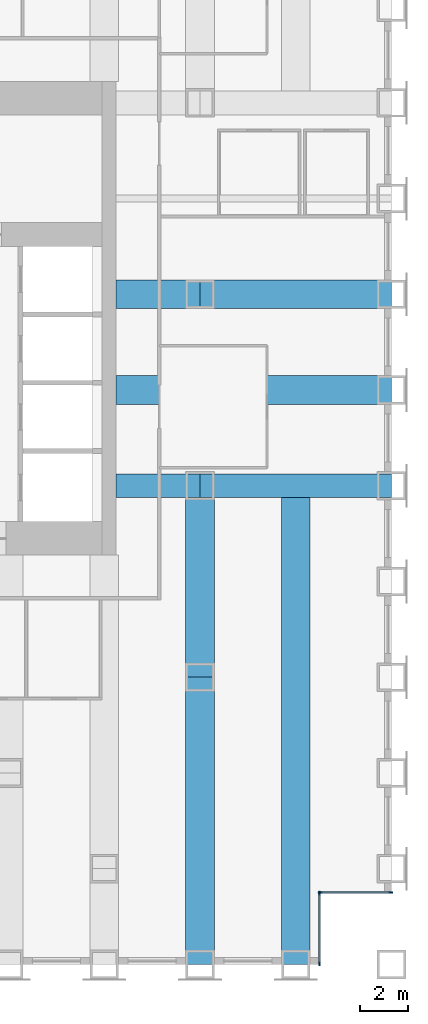
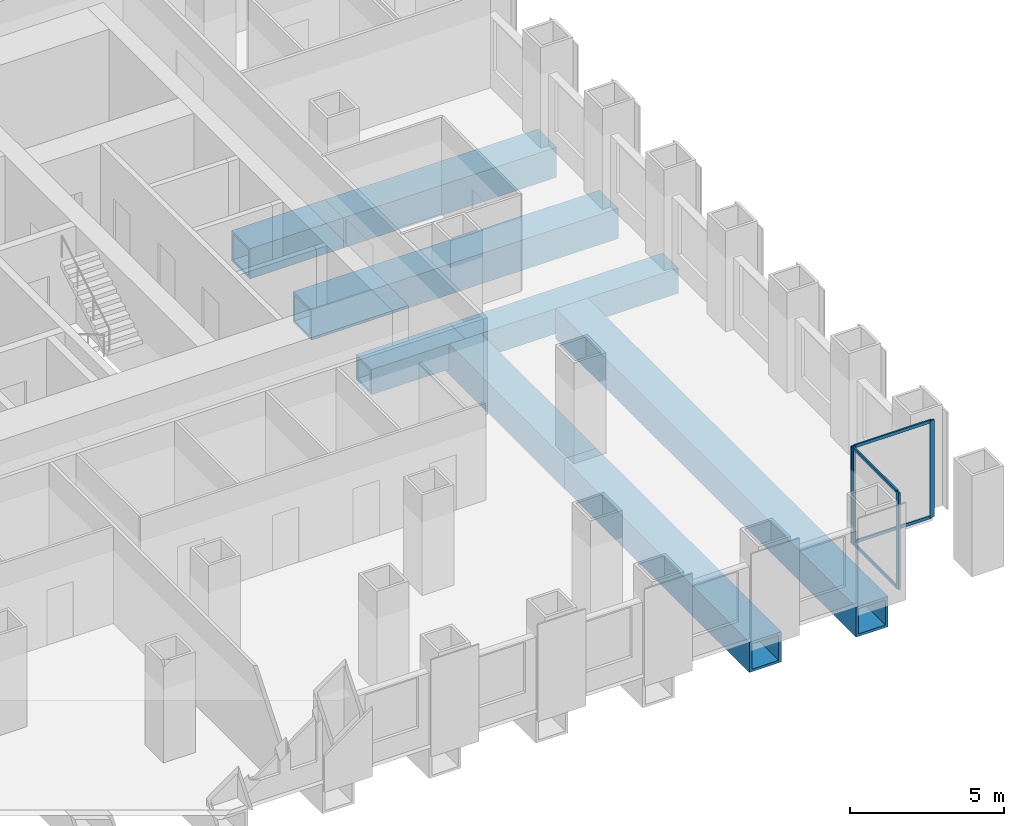
# One storey, part 4 of 14: 8 beams, 8 members, 2 elements without a shape of their own.
"""IFC4 building model written with IfcOpenShell, lengths in metres."""

from ifc_helpers import new_model, si_unit, direction, frame, origin, origin_2d, place, context, subcontext, project, spatial, rectangle, hollow_rectangle, extrude, material, material_profile, profile_set, type_object, element, aggregate, save


model = new_model("IFC4")

# Units and contexts
model_context = context("Model", 3, precision=1e-05, world=origin(), true_north=direction((0.0, 1.0)))
body_context = subcontext(model_context, "Body", "Model", "MODEL_VIEW")
ifc_project = project(units=[si_unit("LENGTHUNIT", "METRE"), si_unit("AREAUNIT", "SQUARE_METRE"), si_unit("VOLUMEUNIT", "CUBIC_METRE"), si_unit("PLANEANGLEUNIT", "RADIAN"), si_unit("MASSUNIT", "GRAM", prefix="KILO")], contexts=[model_context])

# Site, building, storey
site_placement = place(None, origin())
site = spatial("IfcSite", under=ifc_project, at=site_placement, CompositionType="ELEMENT")
building_placement = place(site_placement, origin())
building = spatial("IfcBuilding", under=site, at=building_placement, Name="Rimbunsela Tower", CompositionType="ELEMENT")
storey_placement = place(building_placement, frame((0.0, 0.0, 47.0)))
storey = spatial("IfcBuildingStorey", under=building, at=storey_placement, Name="L11", CompositionType="ELEMENT", Elevation=47.0)

# Beams
ifc_material_1 = material(Name="Steel BJ 55 (fy 410 MPa)", Category="steel")
ifc_material_profile_1 = material_profile(ifc_material_1, hollow_rectangle(XDim=1.0, YDim=1.0, WallThickness=0.10009765625, at=origin_2d()), Name="BOX 1000x1000x100")
ifc_profile_set_1 = profile_set([ifc_material_profile_1], Name="Steel BJ 55 (fy 410 MPa)")
beam_type_1 = type_object("IfcBeamType", Name="Beam BOX 1000x1000x100", PredefinedType="BEAM", material=ifc_profile_set_1)
beam_1_placement = place(storey_placement, frame((42.5, 20.0, -0.64990234375), z_axis=(1.0, 0.0, 0.0), x_axis=(0.0, 1.0, 0.0)))
element("IfcBeam", 1, at=beam_1_placement, inside=storey, type_object=beam_type_1, Name="Beam B3 L11", PredefinedType="BEAM", context=body_context, shape_type="SweptSolid", body=[
    extrude(hollow_rectangle(XDim=1.0, YDim=1.0, WallThickness=0.10009765625, at=origin_2d()), origin(), (0.0, 0.0, 1.0), 3.5),
])
beam_2_placement = place(storey_placement, frame((46.0, 20.0, -0.64990234375), z_axis=(1.0, 0.0, 0.0), x_axis=(0.0, 1.0, 0.0)))
element("IfcBeam", 2, at=beam_2_placement, inside=storey, type_object=beam_type_1, Name="Beam B3 L11", PredefinedType="BEAM", context=body_context, shape_type="SweptSolid", body=[
    extrude(hollow_rectangle(XDim=1.0, YDim=1.0, WallThickness=0.10009765625, at=origin_2d()), origin(), (0.0, 0.0, 1.0), 8.0),
])
ifc_material_2 = material(Name="Steel BJ 55 (fy 410 MPa)", Category="steel")
ifc_material_profile_2 = material_profile(ifc_material_2, hollow_rectangle(XDim=1.199951171875, YDim=1.199951171875, WallThickness=0.10009765625, at=origin_2d()), Name="BOX 1200x1200x100")
ifc_profile_set_2 = profile_set([ifc_material_profile_2], Name="Steel BJ 55 (fy 410 MPa)")
beam_type_2 = type_object("IfcBeamType", Name="Beam BOX 1200x1200x100", PredefinedType="BEAM", material=ifc_profile_set_2)
beam_3_placement = place(storey_placement, frame((42.5, 24.0, -0.75), z_axis=(1.0, 0.0, 0.0), x_axis=(0.0, 1.0, 0.0)))
element("IfcBeam", 3, at=beam_3_placement, inside=storey, type_object=beam_type_2, Name="Beam B5 L11", PredefinedType="BEAM", context=body_context, shape_type="SweptSolid", body=[
    extrude(hollow_rectangle(XDim=1.199951171875, YDim=1.199951171875, WallThickness=0.10009765625, at=origin_2d()), origin(), (0.0, 0.0, 1.0), 11.5),
])
beam_4_placement = place(storey_placement, frame((42.5, 28.0, -0.75), z_axis=(1.0, 0.0, 0.0), x_axis=(0.0, 1.0, 0.0)))
element("IfcBeam", 4, at=beam_4_placement, inside=storey, type_object=beam_type_2, Name="Beam B5 L11", PredefinedType="BEAM", context=body_context, shape_type="SweptSolid", body=[
    extrude(hollow_rectangle(XDim=1.199951171875, YDim=1.199951171875, WallThickness=0.10009765625, at=origin_2d()), origin(), (0.0, 0.0, 1.0), 3.5),
])
beam_5_placement = place(storey_placement, frame((46.0, 0.0, -0.75), z_axis=(0.0, 1.0, 0.0), x_axis=(-1.0, 0.0, 0.0)))
element("IfcBeam", 5, at=beam_5_placement, inside=storey, type_object=beam_type_2, Name="Beam B5 L11", PredefinedType="BEAM", context=body_context, shape_type="SweptSolid", body=[
    extrude(hollow_rectangle(XDim=1.199951171875, YDim=1.199951171875, WallThickness=0.10009765625, at=origin_2d()), origin(), (0.0, 0.0, 1.0), 12.0),
])
for number, where, z_axis, x_axis, name in (
    (6, (46.0, 12.0, -0.75), (0.0, 1.0, 0.0), (-1.0, 0.0, 0.0), "Beam B5 L11"),
    (7, (46.0, 28.0, -0.75), (1.0, 0.0, 0.0), (0.0, 1.0, 0.0), "Beam B5 L11"),
):
    element("IfcBeam", number, at=place(storey_placement, frame(where, z_axis=z_axis, x_axis=x_axis)), inside=storey, type_object=beam_type_2, Name=name, PredefinedType="BEAM", context=body_context, shape_type="SweptSolid", body=[
        extrude(hollow_rectangle(XDim=1.199951171875, YDim=1.199951171875, WallThickness=0.10009765625, at=origin_2d()), origin(), (0.0, 0.0, 1.0), 8.0),
    ])
beam_6_placement = place(storey_placement, frame((50.0, 0.0, -0.75), z_axis=(0.0, 1.0, 0.0), x_axis=(-1.0, 0.0, 0.0)))
element("IfcBeam", 8, at=beam_6_placement, inside=storey, type_object=beam_type_2, Name="Beam B5 L11", PredefinedType="BEAM", context=body_context, shape_type="SweptSolid", body=[
    extrude(hollow_rectangle(XDim=1.199951171875, YDim=1.199951171875, WallThickness=0.10009765625, at=origin_2d()), origin(), (0.0, 0.0, 1.0), 19.5),
])

# Curtain wall, members
ifc_material_3 = material(Name="Aluminium curtain wall", Category="aluminium")
curtain_wall_type = type_object("IfcCurtainWallType", Name="Corner glazing", PredefinedType="USERDEFINED", material=ifc_material_3)
curtain_wall_1_placement = place(storey_placement, origin())
curtain_wall_1 = element("IfcCurtainWall", 9, at=curtain_wall_1_placement, inside=storey, type_object=curtain_wall_type, Name="Corner glazing L11", ObjectType="CORNER GLAZING", PredefinedType="USERDEFINED")
ifc_material_4 = material(Name="Aluminium mullion", Category="aluminium")
ifc_material_profile_3 = material_profile(ifc_material_4, rectangle(XDim=0.06005859375, YDim=0.159912109375, at=origin_2d()), Name="Mullion 60x160")
ifc_profile_set_3 = profile_set([ifc_material_profile_3], Name="Aluminium mullion")
member_type_1 = type_object("IfcMemberType", Name="Curtain wall mullion 60x160", PredefinedType="MULLION", material=ifc_profile_set_3)
member_1_placement = place(storey_placement, frame((51.0, 0.030029296875, 0.0), z_axis=(0.0, 0.0, 1.0), x_axis=(-1.0, 0.0, 0.0)))
member_1 = element("IfcMember", 10, at=member_1_placement, type_object=member_type_1, Name="CW5 mullion 1", PredefinedType="MULLION", context=body_context, shape_type="SweptSolid", body=[
    extrude(rectangle(XDim=0.06005859375, YDim=0.159912109375, at=origin_2d()), origin(), (0.0, 0.0, 1.0), 3.85009765625),
])
member_2_placement = place(storey_placement, frame((51.0, 2.969970703125, 0.0), z_axis=(0.0, 0.0, 1.0), x_axis=(-1.0, 0.0, 0.0)))
member_2 = element("IfcMember", 11, at=member_2_placement, type_object=member_type_1, Name="CW5 mullion 2", PredefinedType="MULLION", context=body_context, shape_type="SweptSolid", body=[
    extrude(rectangle(XDim=0.06005859375, YDim=0.159912109375, at=origin_2d()), origin(), (0.0, 0.0, 1.0), 3.85009765625),
])

curtain_wall_2_placement = place(storey_placement, origin())
curtain_wall_2 = element("IfcCurtainWall", 12, at=curtain_wall_2_placement, inside=storey, type_object=curtain_wall_type, Name="Corner glazing L11", ObjectType="CORNER GLAZING", PredefinedType="USERDEFINED")
member_3_placement = place(storey_placement, frame((51.030029296875, 3.0, 0.0), z_axis=(0.0, 0.0, 1.0), x_axis=(0.0, 1.0, 0.0)))
member_3 = element("IfcMember", 13, at=member_3_placement, type_object=member_type_1, Name="CW5 mullion 1", PredefinedType="MULLION", context=body_context, shape_type="SweptSolid", body=[
    extrude(rectangle(XDim=0.06005859375, YDim=0.159912109375, at=origin_2d()), origin(), (0.0, 0.0, 1.0), 3.85009765625),
])
member_4_placement = place(storey_placement, frame((53.969970703125, 3.0, 0.0), z_axis=(0.0, 0.0, 1.0), x_axis=(0.0, 1.0, 0.0)))
member_4 = element("IfcMember", 14, at=member_4_placement, type_object=member_type_1, Name="CW5 mullion 2", PredefinedType="MULLION", context=body_context, shape_type="SweptSolid", body=[
    extrude(rectangle(XDim=0.06005859375, YDim=0.159912109375, at=origin_2d()), origin(), (0.0, 0.0, 1.0), 3.85009765625),
])

# Member
ifc_material_5 = material(Name="Aluminium transom", Category="aluminium")
ifc_material_profile_4 = material_profile(ifc_material_5, rectangle(XDim=0.06005859375, YDim=0.1201171875, at=origin_2d()), Name="Transom 60x120")
ifc_profile_set_4 = profile_set([ifc_material_profile_4], Name="Aluminium transom")
member_type_2 = type_object("IfcMemberType", Name="Curtain wall transom 60x120", PredefinedType="USERDEFINED", material=ifc_profile_set_4)
member_5_placement = place(storey_placement, frame((51.0, 0.06005859375, 0.030029296875), z_axis=(0.0, 1.0, 0.0), x_axis=(-1.0, 0.0, 0.0)))
member_5 = element("IfcMember", 15, at=member_5_placement, type_object=member_type_2, Name="CW5 transom 1.1", ObjectType="TRANSOM", PredefinedType="USERDEFINED", context=body_context, shape_type="SweptSolid", body=[
    extrude(rectangle(XDim=0.06005859375, YDim=0.1201171875, at=origin_2d()), origin(), (0.0, 0.0, 1.0), 2.8798828125),
])

member_6_placement = place(storey_placement, frame((51.0, 0.06005859375, 3.820068359375), z_axis=(0.0, 1.0, 0.0), x_axis=(-1.0, 0.0, 0.0)))
member_6 = element("IfcMember", 16, at=member_6_placement, type_object=member_type_2, Name="CW5 transom 1.2", ObjectType="TRANSOM", PredefinedType="USERDEFINED", context=body_context, shape_type="SweptSolid", body=[
    extrude(rectangle(XDim=0.06005859375, YDim=0.1201171875, at=origin_2d()), origin(), (0.0, 0.0, 1.0), 2.8798828125),
])

aggregate(curtain_wall_1, [member_1, member_2, member_5, member_6])

member_7_placement = place(storey_placement, frame((51.06005859375, 3.0, 0.030029296875), z_axis=(1.0, 0.0, 0.0), x_axis=(0.0, 1.0, 0.0)))
member_7 = element("IfcMember", 17, at=member_7_placement, type_object=member_type_2, Name="CW5 transom 1.1", ObjectType="TRANSOM", PredefinedType="USERDEFINED", context=body_context, shape_type="SweptSolid", body=[
    extrude(rectangle(XDim=0.06005859375, YDim=0.1201171875, at=origin_2d()), origin(), (0.0, 0.0, 1.0), 2.8798828125),
])

member_8_placement = place(storey_placement, frame((51.06005859375, 3.0, 3.820068359375), z_axis=(1.0, 0.0, 0.0), x_axis=(0.0, 1.0, 0.0)))
member_8 = element("IfcMember", 18, at=member_8_placement, type_object=member_type_2, Name="CW5 transom 1.2", ObjectType="TRANSOM", PredefinedType="USERDEFINED", context=body_context, shape_type="SweptSolid", body=[
    extrude(rectangle(XDim=0.06005859375, YDim=0.1201171875, at=origin_2d()), origin(), (0.0, 0.0, 1.0), 2.8798828125),
])

aggregate(curtain_wall_2, [member_3, member_4, member_7, member_8])

save(model, "model.ifc")
